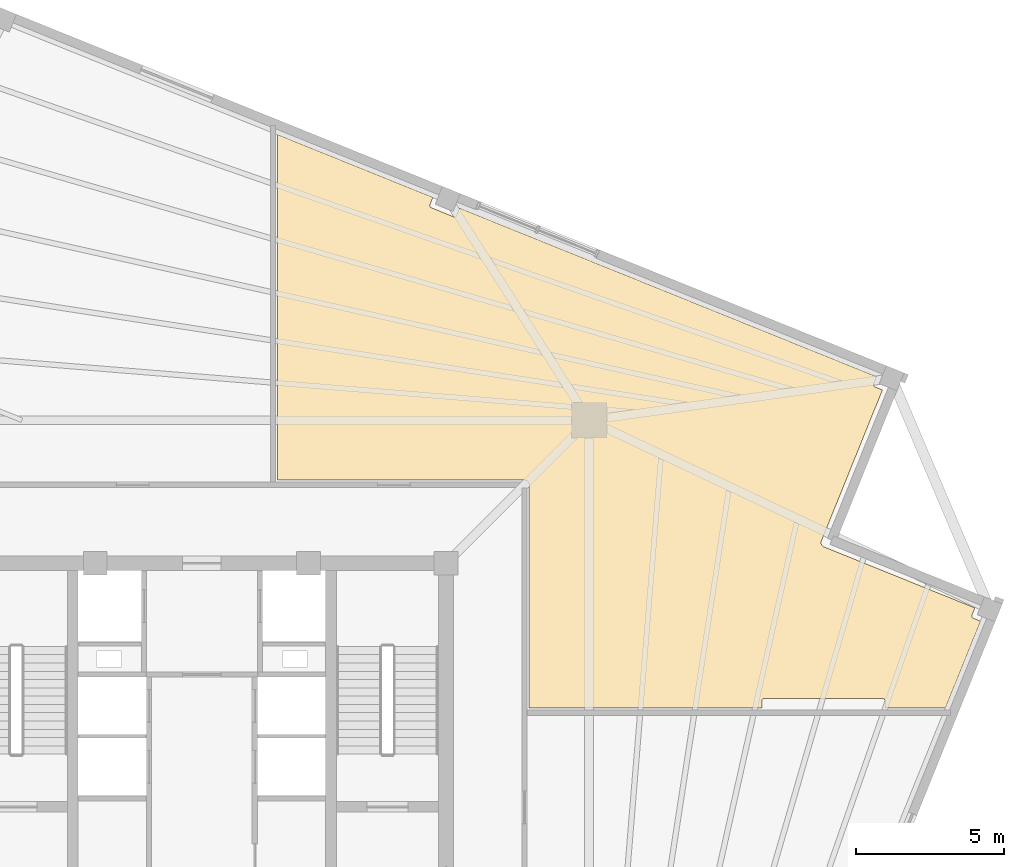
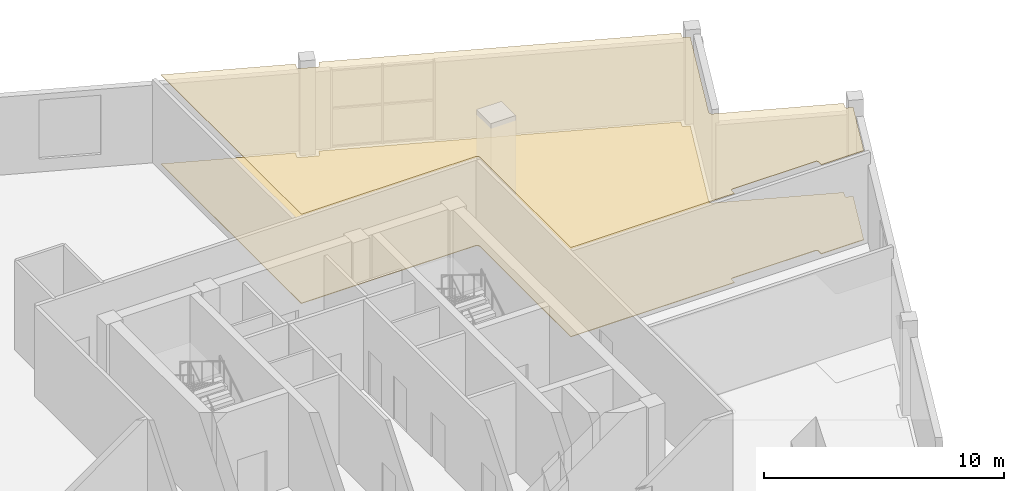
# One storey, part 12 of 12: 2 coverings.
"""IFC4 building model written with IfcOpenShell, lengths in metres."""

from ifc_helpers import new_model, si_unit, direction, frame, origin, place, context, subcontext, project, spatial, polyline, outline, extrude, material, layer, layer_set, type_object, element, save


model = new_model("IFC4")

# Units and contexts
model_context = context("Model", 3, precision=1e-05, world=origin(), true_north=direction((0.0, 1.0)))
body_context = subcontext(model_context, "Body", "Model", "MODEL_VIEW")
ifc_project = project(units=[si_unit("LENGTHUNIT", "METRE"), si_unit("AREAUNIT", "SQUARE_METRE"), si_unit("VOLUMEUNIT", "CUBIC_METRE"), si_unit("PLANEANGLEUNIT", "RADIAN"), si_unit("MASSUNIT", "GRAM", prefix="KILO"), si_unit("THERMODYNAMICTEMPERATUREUNIT", "KELVIN")], contexts=[model_context])

# Site, building, storey
site_placement = place(None, origin())
site = spatial("IfcSite", under=ifc_project, at=site_placement, CompositionType="ELEMENT")
building_placement = place(site_placement, origin())
building = spatial("IfcBuilding", under=site, at=building_placement, Name="Kosmvard Interchange Tower", CompositionType="ELEMENT")
storey_placement = place(building_placement, frame((0.0, 0.0, 312.0)))
storey = spatial("IfcBuildingStorey", under=building, at=storey_placement, Name="L77", CompositionType="ELEMENT", Elevation=312.0)

# Coverings
ifc_material_1 = material(Name="Acoustic gypsum ceiling tile")
ifc_layer_1 = layer(ifc_material_1, 0.02490234375, Name="Acoustic gypsum ceiling tile")
ifc_layer_set_1 = layer_set([ifc_layer_1], Name="Acoustic gypsum ceiling tile")
covering_type_1 = type_object("IfcCoveringType", Name="Acoustic Perforated Suspended Ceiling 25", PredefinedType="CEILING", material=ifc_layer_set_1)
covering_1_placement = place(storey_placement, frame((0.0, 0.0, 4.52490234375)))
element("IfcCovering", 1, at=covering_1_placement, inside=storey, type_object=covering_type_1, Name="L77 Acoustic Ceiling L77-EXHB", PredefinedType="CEILING", context=body_context, shape_type="SweptSolid", body=[
    extrude(outline(polyline([(8.7041015625, 20.248779296875), (8.60498046875, 20.003173828125), (8.6015625, 19.99609375), (8.59765625, 19.9892578125), (8.593017578125, 19.98291015625), (8.587646484375, 19.97705078125), (8.58203125, 19.9716796875), (8.57568359375, 19.967041015625), (8.569091796875, 19.962890625), (8.56201171875, 19.95947265625), (8.5546875, 19.956787109375), (8.546875, 19.954833984375), (8.539306640625, 19.95361328125), (8.531494140625, 19.953125), (8.5234375, 19.953369140625), (8.515869140625, 19.95458984375), (8.508056640625, 19.956298828125), (8.500732421875, 19.958984375), (7.749755859375, 20.262451171875), (7.74267578125, 20.265625), (7.73583984375, 20.26953125), (7.7294921875, 20.274169921875), (7.7236328125, 20.279541015625), (7.71826171875, 20.28515625), (7.713623046875, 20.29150390625), (7.70947265625, 20.298095703125), (7.7060546875, 20.30517578125), (7.703369140625, 20.3125), (7.701416015625, 20.3203125), (7.7001953125, 20.327880859375), (7.69970703125, 20.335693359375), (7.699951171875, 20.34375), (7.701171875, 20.351318359375), (7.702880859375, 20.359130859375), (7.70556640625, 20.366455078125), (7.8046875, 20.612060546875), (2.56005859375, 22.731201171875), (2.56005859375, 11.054931640625), (10.89990234375, 11.054931640625), (10.90380859375, 11.054931640625), (10.911376953125, 11.054443359375), (10.919189453125, 11.0537109375), (10.92626953125, 11.052734375), (10.93408203125, 11.05126953125), (10.941162109375, 11.04931640625), (10.94873046875, 11.047119140625), (10.95556640625, 11.044677734375), (10.962890625, 11.04150390625), (10.969482421875, 11.038330078125), (10.976318359375, 11.034912109375), (10.982666015625, 11.031005859375), (10.9892578125, 11.026611328125), (10.9951171875, 11.022216796875), (11.00146484375, 11.01708984375), (11.0068359375, 11.01220703125), (11.01220703125, 11.0068359375), (11.01708984375, 11.00146484375), (11.022216796875, 10.9951171875), (11.026611328125, 10.9892578125), (11.031005859375, 10.982666015625), (11.034912109375, 10.976318359375), (11.038330078125, 10.969482421875), (11.04150390625, 10.962890625), (11.044677734375, 10.95556640625), (11.047119140625, 10.94873046875), (11.04931640625, 10.941162109375), (11.05126953125, 10.93408203125), (11.052734375, 10.92626953125), (11.0537109375, 10.919189453125), (11.054443359375, 10.911376953125), (11.054931640625, 10.90380859375), (11.054931640625, 10.89990234375), (11.054931640625, 3.360107421875), (18.919921875, 3.360107421875), (18.919921875, 3.60009765625), (18.92041015625, 3.60791015625), (18.921630859375, 3.61572265625), (18.92333984375, 3.623291015625), (18.926025390625, 3.630615234375), (18.929443359375, 3.6376953125), (18.93359375, 3.64453125), (18.938232421875, 3.650634765625), (18.943359375, 3.656494140625), (18.94921875, 3.661865234375), (18.95556640625, 3.66650390625), (18.96240234375, 3.670654296875), (18.969482421875, 3.673828125), (18.976806640625, 3.676513671875), (18.984375, 3.678466796875), (18.9921875, 3.6796875), (19.0, 3.679931640625), (23.0, 3.679931640625), (23.0078125, 3.6796875), (23.015625, 3.678466796875), (23.023193359375, 3.676513671875), (23.030517578125, 3.673828125), (23.03759765625, 3.670654296875), (23.04443359375, 3.66650390625), (23.05078125, 3.661865234375), (23.056640625, 3.656494140625), (23.061767578125, 3.650634765625), (23.06640625, 3.64453125), (23.070556640625, 3.6376953125), (23.073974609375, 3.630615234375), (23.07666015625, 3.623291015625), (23.078369140625, 3.61572265625), (23.07958984375, 3.60791015625), (23.080078125, 3.60009765625), (23.080078125, 3.360107421875), (25.123046875, 3.360107421875), (26.30810546875, 6.29296875), (26.062255859375, 6.392333984375), (26.05517578125, 6.3955078125), (26.048583984375, 6.399658203125), (26.042236328125, 6.404296875), (26.036376953125, 6.409423828125), (26.031005859375, 6.415283203125), (26.026123046875, 6.42138671875), (26.022216796875, 6.42822265625), (26.018798828125, 6.435302734375), (26.015869140625, 6.442626953125), (26.013916015625, 6.4501953125), (26.0126953125, 6.4580078125), (26.012451171875, 6.4658203125), (26.0126953125, 6.4736328125), (26.013671875, 6.4814453125), (26.015625, 6.489013671875), (26.01806640625, 6.49658203125), (26.117431640625, 6.7421875), (21.017822265625, 8.802490234375), (21.014404296875, 8.80419921875), (21.007568359375, 8.80712890625), (21.000732421875, 8.810791015625), (20.994384765625, 8.814453125), (20.98779296875, 8.81884765625), (20.981689453125, 8.8232421875), (20.975830078125, 8.828125), (20.97021484375, 8.8330078125), (20.964599609375, 8.83837890625), (20.959716796875, 8.843994140625), (20.95458984375, 8.849853515625), (20.9501953125, 8.855712890625), (20.94580078125, 8.8623046875), (20.94189453125, 8.86865234375), (20.938232421875, 8.87548828125), (20.934814453125, 8.882080078125), (20.931884765625, 8.889404296875), (20.92919921875, 8.896240234375), (20.927001953125, 8.90380859375), (20.925048828125, 8.910888671875), (20.923583984375, 8.91845703125), (20.92236328125, 8.92578125), (20.921630859375, 8.93359375), (20.921142578125, 8.94091796875), (20.921142578125, 8.94873046875), (20.92138671875, 8.956298828125), (20.922119140625, 8.9638671875), (20.923095703125, 8.97119140625), (20.924560546875, 8.97900390625), (20.92626953125, 8.986083984375), (20.928466796875, 8.99365234375), (20.930908203125, 9.000732421875), (20.932373046875, 9.00439453125), (22.99267578125, 14.103759765625), (22.746826171875, 14.203125), (22.73974609375, 14.206298828125), (22.73291015625, 14.21044921875), (22.7265625, 14.21484375), (22.720703125, 14.22021484375), (22.715576171875, 14.22607421875), (22.710693359375, 14.232177734375), (22.70654296875, 14.239013671875), (22.703125, 14.24609375), (22.700439453125, 14.25341796875), (22.698486328125, 14.260986328125), (22.697265625, 14.268798828125), (22.69677734375, 14.276611328125), (22.697265625, 14.284423828125), (22.6982421875, 14.292236328125), (22.7001953125, 14.2998046875), (22.70263671875, 14.30712890625), (22.802001953125, 14.552978515625), (8.7041015625, 20.248779296875)])), origin(), (0.0, 0.0, 1.0), 0.025146484375),
])
ifc_material_2 = material(Name="Polished terrazzo flooring")
ifc_layer_2 = layer(ifc_material_2, 0.030029296875, Name="Polished terrazzo flooring")
ifc_layer_set_2 = layer_set([ifc_layer_2], Name="Polished terrazzo flooring")
covering_type_2 = type_object("IfcCoveringType", Name="Heavy-Duty Terrazzo & Porcelain Flooring 30", PredefinedType="FLOORING", material=ifc_layer_set_2)
covering_2_placement = place(storey_placement, origin())
element("IfcCovering", 2, at=covering_2_placement, inside=storey, type_object=covering_type_2, Name="L77 Floor Finish L77-EXHB", PredefinedType="FLOORING", context=body_context, shape_type="SweptSolid", body=[
    extrude(outline(polyline([(8.7041015625, 20.248779296875), (8.60498046875, 20.003173828125), (8.6015625, 19.99609375), (8.59765625, 19.9892578125), (8.593017578125, 19.98291015625), (8.587646484375, 19.97705078125), (8.58203125, 19.9716796875), (8.57568359375, 19.967041015625), (8.569091796875, 19.962890625), (8.56201171875, 19.95947265625), (8.5546875, 19.956787109375), (8.546875, 19.954833984375), (8.539306640625, 19.95361328125), (8.531494140625, 19.953125), (8.5234375, 19.953369140625), (8.515869140625, 19.95458984375), (8.508056640625, 19.956298828125), (8.500732421875, 19.958984375), (7.749755859375, 20.262451171875), (7.74267578125, 20.265625), (7.73583984375, 20.26953125), (7.7294921875, 20.274169921875), (7.7236328125, 20.279541015625), (7.71826171875, 20.28515625), (7.713623046875, 20.29150390625), (7.70947265625, 20.298095703125), (7.7060546875, 20.30517578125), (7.703369140625, 20.3125), (7.701416015625, 20.3203125), (7.7001953125, 20.327880859375), (7.69970703125, 20.335693359375), (7.699951171875, 20.34375), (7.701171875, 20.351318359375), (7.702880859375, 20.359130859375), (7.70556640625, 20.366455078125), (7.8046875, 20.612060546875), (2.56005859375, 22.731201171875), (2.56005859375, 11.054931640625), (10.89990234375, 11.054931640625), (10.90380859375, 11.054931640625), (10.911376953125, 11.054443359375), (10.919189453125, 11.0537109375), (10.92626953125, 11.052734375), (10.93408203125, 11.05126953125), (10.941162109375, 11.04931640625), (10.94873046875, 11.047119140625), (10.95556640625, 11.044677734375), (10.962890625, 11.04150390625), (10.969482421875, 11.038330078125), (10.976318359375, 11.034912109375), (10.982666015625, 11.031005859375), (10.9892578125, 11.026611328125), (10.9951171875, 11.022216796875), (11.00146484375, 11.01708984375), (11.0068359375, 11.01220703125), (11.01220703125, 11.0068359375), (11.01708984375, 11.00146484375), (11.022216796875, 10.9951171875), (11.026611328125, 10.9892578125), (11.031005859375, 10.982666015625), (11.034912109375, 10.976318359375), (11.038330078125, 10.969482421875), (11.04150390625, 10.962890625), (11.044677734375, 10.95556640625), (11.047119140625, 10.94873046875), (11.04931640625, 10.941162109375), (11.05126953125, 10.93408203125), (11.052734375, 10.92626953125), (11.0537109375, 10.919189453125), (11.054443359375, 10.911376953125), (11.054931640625, 10.90380859375), (11.054931640625, 10.89990234375), (11.054931640625, 3.360107421875), (18.919921875, 3.360107421875), (18.919921875, 3.60009765625), (18.92041015625, 3.60791015625), (18.921630859375, 3.61572265625), (18.92333984375, 3.623291015625), (18.926025390625, 3.630615234375), (18.929443359375, 3.6376953125), (18.93359375, 3.64453125), (18.938232421875, 3.650634765625), (18.943359375, 3.656494140625), (18.94921875, 3.661865234375), (18.95556640625, 3.66650390625), (18.96240234375, 3.670654296875), (18.969482421875, 3.673828125), (18.976806640625, 3.676513671875), (18.984375, 3.678466796875), (18.9921875, 3.6796875), (19.0, 3.679931640625), (23.0, 3.679931640625), (23.0078125, 3.6796875), (23.015625, 3.678466796875), (23.023193359375, 3.676513671875), (23.030517578125, 3.673828125), (23.03759765625, 3.670654296875), (23.04443359375, 3.66650390625), (23.05078125, 3.661865234375), (23.056640625, 3.656494140625), (23.061767578125, 3.650634765625), (23.06640625, 3.64453125), (23.070556640625, 3.6376953125), (23.073974609375, 3.630615234375), (23.07666015625, 3.623291015625), (23.078369140625, 3.61572265625), (23.07958984375, 3.60791015625), (23.080078125, 3.60009765625), (23.080078125, 3.360107421875), (25.123046875, 3.360107421875), (26.30810546875, 6.29296875), (26.062255859375, 6.392333984375), (26.05517578125, 6.3955078125), (26.048583984375, 6.399658203125), (26.042236328125, 6.404296875), (26.036376953125, 6.409423828125), (26.031005859375, 6.415283203125), (26.026123046875, 6.42138671875), (26.022216796875, 6.42822265625), (26.018798828125, 6.435302734375), (26.015869140625, 6.442626953125), (26.013916015625, 6.4501953125), (26.0126953125, 6.4580078125), (26.012451171875, 6.4658203125), (26.0126953125, 6.4736328125), (26.013671875, 6.4814453125), (26.015625, 6.489013671875), (26.01806640625, 6.49658203125), (26.117431640625, 6.7421875), (21.017822265625, 8.802490234375), (21.014404296875, 8.80419921875), (21.007568359375, 8.80712890625), (21.000732421875, 8.810791015625), (20.994384765625, 8.814453125), (20.98779296875, 8.81884765625), (20.981689453125, 8.8232421875), (20.975830078125, 8.828125), (20.97021484375, 8.8330078125), (20.964599609375, 8.83837890625), (20.959716796875, 8.843994140625), (20.95458984375, 8.849853515625), (20.9501953125, 8.855712890625), (20.94580078125, 8.8623046875), (20.94189453125, 8.86865234375), (20.938232421875, 8.87548828125), (20.934814453125, 8.882080078125), (20.931884765625, 8.889404296875), (20.92919921875, 8.896240234375), (20.927001953125, 8.90380859375), (20.925048828125, 8.910888671875), (20.923583984375, 8.91845703125), (20.92236328125, 8.92578125), (20.921630859375, 8.93359375), (20.921142578125, 8.94091796875), (20.921142578125, 8.94873046875), (20.92138671875, 8.956298828125), (20.922119140625, 8.9638671875), (20.923095703125, 8.97119140625), (20.924560546875, 8.97900390625), (20.92626953125, 8.986083984375), (20.928466796875, 8.99365234375), (20.930908203125, 9.000732421875), (20.932373046875, 9.00439453125), (22.99267578125, 14.103759765625), (22.746826171875, 14.203125), (22.73974609375, 14.206298828125), (22.73291015625, 14.21044921875), (22.7265625, 14.21484375), (22.720703125, 14.22021484375), (22.715576171875, 14.22607421875), (22.710693359375, 14.232177734375), (22.70654296875, 14.239013671875), (22.703125, 14.24609375), (22.700439453125, 14.25341796875), (22.698486328125, 14.260986328125), (22.697265625, 14.268798828125), (22.69677734375, 14.276611328125), (22.697265625, 14.284423828125), (22.6982421875, 14.292236328125), (22.7001953125, 14.2998046875), (22.70263671875, 14.30712890625), (22.802001953125, 14.552978515625), (8.7041015625, 20.248779296875)])), origin(), (0.0, 0.0, 1.0), 0.030029296875),
])

save(model, "model.ifc")
